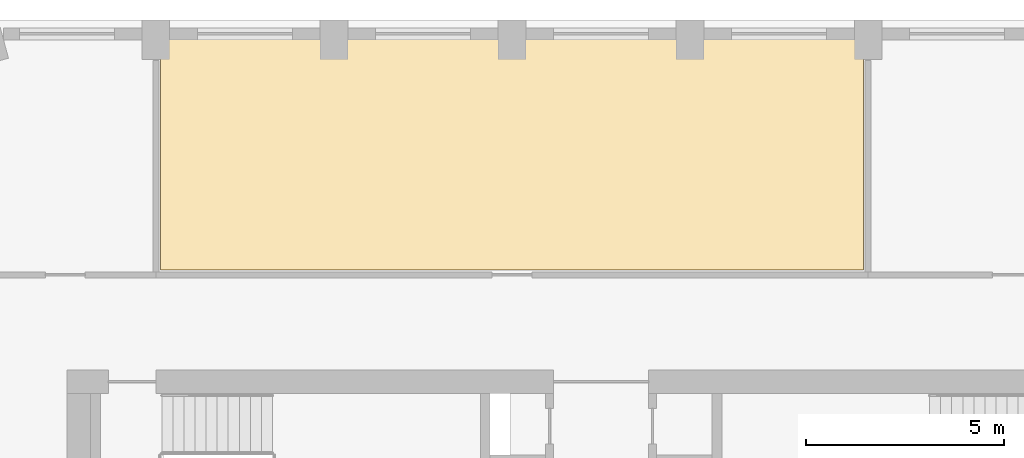
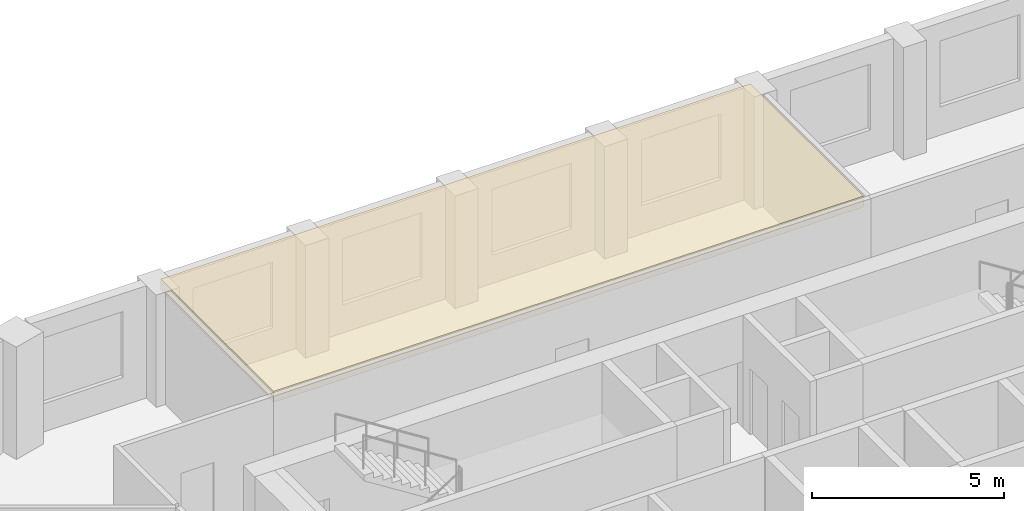
# One storey, part 10 of 10: 1 covering.
"""IFC4 building model written with IfcOpenShell, lengths in metres."""

from ifc_helpers import new_model, si_unit, direction, frame, origin, place, context, subcontext, project, spatial, polyline, outline, extrude, material, layer, layer_set, type_object, element, save


model = new_model("IFC4")

# Units and contexts
model_context = context("Model", 3, precision=1e-05, world=origin(), true_north=direction((0.0, 1.0)))
body_context = subcontext(model_context, "Body", "Model", "MODEL_VIEW")
ifc_project = project(units=[si_unit("LENGTHUNIT", "METRE"), si_unit("AREAUNIT", "SQUARE_METRE"), si_unit("VOLUMEUNIT", "CUBIC_METRE"), si_unit("PLANEANGLEUNIT", "RADIAN"), si_unit("MASSUNIT", "GRAM", prefix="KILO")], contexts=[model_context])

# Site, building, storey
site_placement = place(None, origin())
site = spatial("IfcSite", under=ifc_project, at=site_placement, CompositionType="ELEMENT")
building_placement = place(site_placement, origin())
building = spatial("IfcBuilding", under=site, at=building_placement, Name="Dhurran Vertical Campus", CompositionType="ELEMENT")
storey_placement = place(building_placement, frame((0.0, 0.0, 243.0)))
storey = spatial("IfcBuildingStorey", under=building, at=storey_placement, Name="L60", CompositionType="ELEMENT", Elevation=243.0)

# Covering
ifc_material = material(Name="Mineral fibre ceiling tiles on suspended grid")
ifc_layer = layer(ifc_material, 0.35009765625)
ifc_layer_set = layer_set([ifc_layer], Name="Mineral fibre ceiling tiles on suspended grid")
covering_type = type_object("IfcCoveringType", Name="fl-CE-350 suspended ceiling", PredefinedType="CEILING", material=ifc_layer_set)
covering_placement = place(storey_placement, frame((0.0, 0.0, 3.22509765625)))
element("IfcCovering", 1, at=covering_placement, inside=storey, type_object=covering_type, Name="Ceiling 60-09", PredefinedType="CEILING", context=body_context, shape_type="SweptSolid", body=[
    extrude(outline(polyline([(-11.1298828125, 19.66796875), (6.6298828125, 19.66796875), (6.6298828125, 13.77001953125), (-11.1298828125, 13.77001953125), (-11.1298828125, 19.66796875)])), origin(), (0.0, 0.0, 1.0), 0.349853515625),
])

save(model, "model.ifc")
